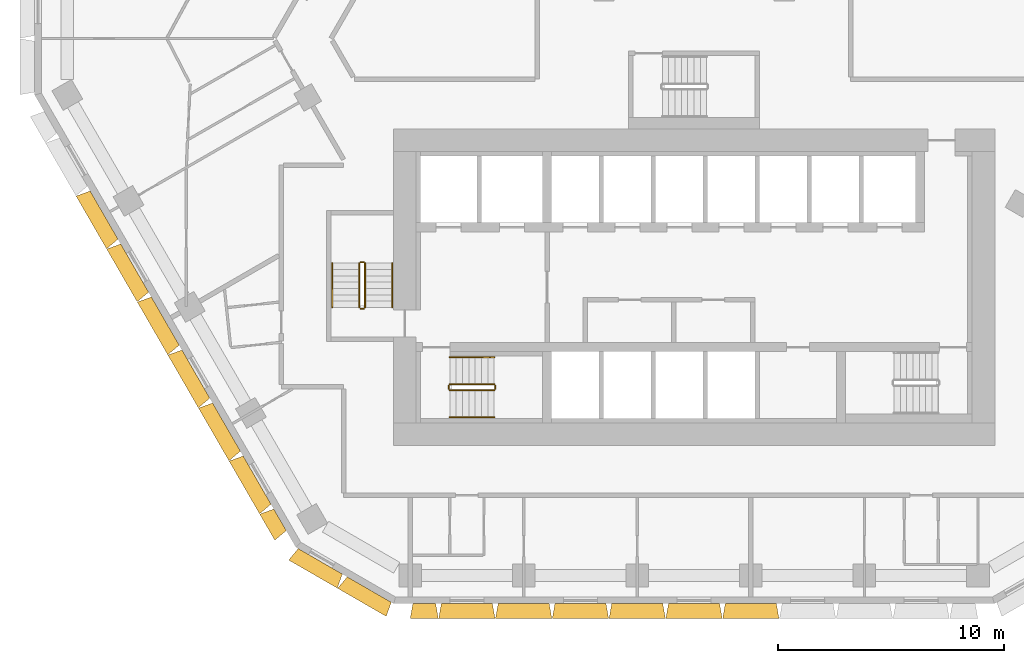
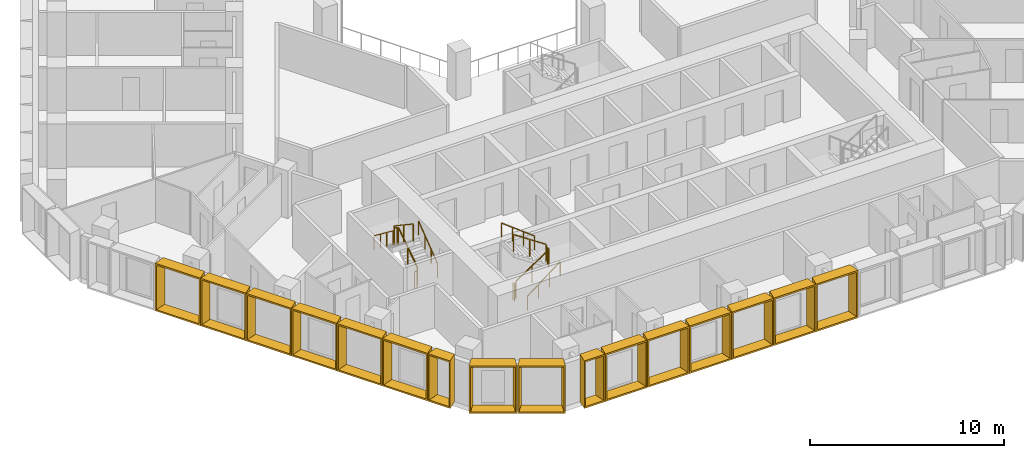
# One storey, part 12 of 15: 16 shading devices, 12 railings.
"""IFC4 building model written with IfcOpenShell, lengths in metres."""

from ifc_helpers import new_model, entity, si_unit, direction, frame, origin, origin_2d, place, context, subcontext, project, spatial, rectangle, extrude, source, transform, mapped, material, type_object, type_shapes, element, save


model = new_model("IFC4")

# Units and contexts
model_context = context("Model", 3, precision=1e-05, world=origin(), true_north=direction((0.0, 1.0)))
body_context = subcontext(model_context, "Body", "Model", "MODEL_VIEW")
ifc_project = project(units=[si_unit("LENGTHUNIT", "METRE"), si_unit("AREAUNIT", "SQUARE_METRE"), si_unit("VOLUMEUNIT", "CUBIC_METRE"), si_unit("PLANEANGLEUNIT", "RADIAN"), si_unit("MASSUNIT", "GRAM", prefix="KILO")], contexts=[model_context])

# Site, building, storey
site_placement = place(None, origin())
site = spatial("IfcSite", under=ifc_project, at=site_placement, CompositionType="ELEMENT")
building_placement = place(site_placement, origin())
building = spatial("IfcBuilding", under=site, at=building_placement, Name="Beryl Residences", CompositionType="ELEMENT")
storey_placement = place(building_placement, frame((0.0, 0.0, 102.0)))
storey = spatial("IfcBuildingStorey", under=building, at=storey_placement, Name="L31", CompositionType="ELEMENT", Elevation=102.0)

# Shading devices
ifc_material_1 = material(Name="Aluminium pale anodised", Category="aluminium")
shading_device_type_1 = type_object("IfcShadingDeviceType", Name="FR126-65A OUTER SKIN frame 650 mm deep, splay 10/10 deg, 1260 x 3000 mm cell", PredefinedType="USERDEFINED", material=ifc_material_1)
cartesian_point_1 = entity("IfcCartesianPoint", [-0.5048828125, 0.0])
cartesian_point_2 = entity("IfcCartesianPoint", [-0.423828125, 0.10009765625])
cartesian_point_3 = entity("IfcCartesianPoint", [-0.61962890625, 0.0])
cartesian_point_4 = entity("IfcCartesianPoint", [-0.538330078125, 0.10009765625])
shared_shape_1 = source(origin(), body_context, "Body", "SweptSolid", [
    entity("IfcExtrudedAreaSolidTapered", entity("IfcArbitraryProfileDefWithVoids", "AREA", None, entity("IfcPolyline", [cartesian_point_1, entity("IfcCartesianPoint", [0.5048828125, 0.0]), entity("IfcCartesianPoint", [0.5048828125, 3.0]), entity("IfcCartesianPoint", [-0.5048828125, 3.0]), cartesian_point_1]), [entity("IfcPolyline", [cartesian_point_2, entity("IfcCartesianPoint", [0.423828125, 0.10009765625]), entity("IfcCartesianPoint", [0.423828125, 2.89990234375]), entity("IfcCartesianPoint", [-0.423828125, 2.89990234375]), cartesian_point_2])]), entity("IfcAxis2Placement3D", entity("IfcCartesianPoint", [0.0, 0.0, 0.0]), entity("IfcDirection", [0.0, 1.0, 0.0]), entity("IfcDirection", [-1.0, 0.0, 0.0])), entity("IfcDirection", [0.0, 0.0, 1.0]), 0.64990234375, entity("IfcArbitraryProfileDefWithVoids", "AREA", None, entity("IfcPolyline", [cartesian_point_3, entity("IfcCartesianPoint", [0.61962890625, 0.0]), entity("IfcCartesianPoint", [0.61962890625, 3.0]), entity("IfcCartesianPoint", [-0.61962890625, 3.0]), cartesian_point_3]), [entity("IfcPolyline", [cartesian_point_4, entity("IfcCartesianPoint", [0.538330078125, 0.10009765625]), entity("IfcCartesianPoint", [0.538330078125, 2.89990234375]), entity("IfcCartesianPoint", [-0.538330078125, 2.89990234375]), cartesian_point_4])])),
])
type_shapes(shading_device_type_1, [shared_shape_1])
shading_device_1_placement = place(storey_placement, frame((-11.928955078125, -26.0, 0.0), z_axis=(0.0, 0.0, 1.0), x_axis=(-1.0, 0.0, 0.0)))
element("IfcShadingDevice", 1, at=shading_device_1_placement, inside=storey, type_object=shading_device_type_1, Name="FR126-65A frame L31 S 1", ObjectType="OUTER SKIN", PredefinedType="USERDEFINED", context=body_context, shape_type="MappedRepresentation", body=[
    mapped(shared_shape_1, transform((0.0, 0.0, 0.0))),
])
ifc_material_2 = material(Name="Aluminium pale anodised", Category="aluminium")
shading_device_type_2 = type_object("IfcShadingDeviceType", Name="FR135-65A OUTER SKIN frame 650 mm deep, splay 10/10 deg, 1350 x 3000 mm cell", PredefinedType="USERDEFINED", material=ifc_material_2)
cartesian_point_5 = entity("IfcCartesianPoint", [-0.550048828125, 0.0])
cartesian_point_6 = entity("IfcCartesianPoint", [-0.46875, 0.10009765625])
cartesian_point_7 = entity("IfcCartesianPoint", [-0.66455078125, 0.0])
cartesian_point_8 = entity("IfcCartesianPoint", [-0.58349609375, 0.10009765625])
shared_shape_2 = source(origin(), body_context, "Body", "SweptSolid", [
    entity("IfcExtrudedAreaSolidTapered", entity("IfcArbitraryProfileDefWithVoids", "AREA", None, entity("IfcPolyline", [cartesian_point_5, entity("IfcCartesianPoint", [0.550048828125, 0.0]), entity("IfcCartesianPoint", [0.550048828125, 3.0]), entity("IfcCartesianPoint", [-0.550048828125, 3.0]), cartesian_point_5]), [entity("IfcPolyline", [cartesian_point_6, entity("IfcCartesianPoint", [0.46875, 0.10009765625]), entity("IfcCartesianPoint", [0.46875, 2.89990234375]), entity("IfcCartesianPoint", [-0.46875, 2.89990234375]), cartesian_point_6])]), entity("IfcAxis2Placement3D", entity("IfcCartesianPoint", [0.0, 0.0, 0.0]), entity("IfcDirection", [0.0, 1.0, 0.0]), entity("IfcDirection", [-1.0, 0.0, 0.0])), entity("IfcDirection", [0.0, 0.0, 1.0]), 0.64990234375, entity("IfcArbitraryProfileDefWithVoids", "AREA", None, entity("IfcPolyline", [cartesian_point_7, entity("IfcCartesianPoint", [0.66455078125, 0.0]), entity("IfcCartesianPoint", [0.66455078125, 3.0]), entity("IfcCartesianPoint", [-0.66455078125, 3.0]), cartesian_point_7]), [entity("IfcPolyline", [cartesian_point_8, entity("IfcCartesianPoint", [0.58349609375, 0.10009765625]), entity("IfcCartesianPoint", [0.58349609375, 2.89990234375]), entity("IfcCartesianPoint", [-0.58349609375, 2.89990234375]), cartesian_point_8])])),
])
type_shapes(shading_device_type_2, [shared_shape_2])
shading_device_2_placement = place(storey_placement, frame((-18.30810546875, -22.2900390625, 0.0), z_axis=(0.0, 0.0, 1.0), x_axis=(-0.5, 0.866025403784, 0.0)))
element("IfcShadingDevice", 2, at=shading_device_2_placement, inside=storey, type_object=shading_device_type_2, Name="FR135-65A frame L31 SW 9", ObjectType="OUTER SKIN", PredefinedType="USERDEFINED", context=body_context, shape_type="MappedRepresentation", body=[
    mapped(shared_shape_2, transform((0.0, 0.0, 0.0))),
])
ifc_material_3 = material(Name="Aluminium pale anodised", Category="aluminium")
shading_device_type_3 = type_object("IfcShadingDeviceType", Name="FR250-65A OUTER SKIN frame 650 mm deep, splay 10/10 deg, 2500 x 3000 mm cell", PredefinedType="USERDEFINED", material=ifc_material_3)
cartesian_point_9 = entity("IfcCartesianPoint", [-1.125, 0.0])
cartesian_point_10 = entity("IfcCartesianPoint", [-1.043701171875, 0.10009765625])
cartesian_point_11 = entity("IfcCartesianPoint", [-1.239501953125, 0.0])
cartesian_point_12 = entity("IfcCartesianPoint", [-1.158447265625, 0.10009765625])
shared_shape_3 = source(origin(), body_context, "Body", "SweptSolid", [
    entity("IfcExtrudedAreaSolidTapered", entity("IfcArbitraryProfileDefWithVoids", "AREA", None, entity("IfcPolyline", [cartesian_point_9, entity("IfcCartesianPoint", [1.125, 0.0]), entity("IfcCartesianPoint", [1.125, 3.0]), entity("IfcCartesianPoint", [-1.125, 3.0]), cartesian_point_9]), [entity("IfcPolyline", [cartesian_point_10, entity("IfcCartesianPoint", [1.043701171875, 0.10009765625]), entity("IfcCartesianPoint", [1.043701171875, 2.89990234375]), entity("IfcCartesianPoint", [-1.043701171875, 2.89990234375]), cartesian_point_10])]), entity("IfcAxis2Placement3D", entity("IfcCartesianPoint", [0.0, 0.0, 0.0]), entity("IfcDirection", [0.0, 1.0, 0.0]), entity("IfcDirection", [-1.0, 0.0, 0.0])), entity("IfcDirection", [0.0, 0.0, 1.0]), 0.64990234375, entity("IfcArbitraryProfileDefWithVoids", "AREA", None, entity("IfcPolyline", [cartesian_point_11, entity("IfcCartesianPoint", [1.239501953125, 0.0]), entity("IfcCartesianPoint", [1.239501953125, 3.0]), entity("IfcCartesianPoint", [-1.239501953125, 3.0]), cartesian_point_11]), [entity("IfcPolyline", [cartesian_point_12, entity("IfcCartesianPoint", [1.158447265625, 0.10009765625]), entity("IfcCartesianPoint", [1.158447265625, 2.89990234375]), entity("IfcCartesianPoint", [-1.158447265625, 2.89990234375]), cartesian_point_12])])),
])
type_shapes(shading_device_type_3, [shared_shape_3])
for number, where, z_axis, x_axis, name in (
    (3, (-16.527099609375, -24.125, 0.0), (0.0, 0.0, 1.0), (-0.866025403784, 0.5, 0.0), "FR250-65A frame L31 SW-S 1"),
    (4, (-14.361083984375, -25.375, 0.0), (0.0, 0.0, 1.0), (-0.866025403784, 0.5, 0.0), "FR250-65A frame L31 SW-S 2"),
):
    element("IfcShadingDevice", number, at=place(storey_placement, frame(where, z_axis=z_axis, x_axis=x_axis)), inside=storey, type_object=shading_device_type_3, Name=name, ObjectType="OUTER SKIN", PredefinedType="USERDEFINED", context=body_context, shape_type="MappedRepresentation", body=[
        mapped(shared_shape_3, transform((0.0, 0.0, 0.0))),
    ])
ifc_material_4 = material(Name="Aluminium pale anodised", Category="aluminium")
shading_device_type_4 = type_object("IfcShadingDeviceType", Name="FR251-65A OUTER SKIN frame 650 mm deep, splay 10/10 deg, 2510 x 3000 mm cell", PredefinedType="USERDEFINED", material=ifc_material_4)
cartesian_point_13 = entity("IfcCartesianPoint", [-1.1298828125, 0.0])
cartesian_point_14 = entity("IfcCartesianPoint", [-1.048828125, 0.10009765625])
cartesian_point_15 = entity("IfcCartesianPoint", [-1.24462890625, 0.0])
cartesian_point_16 = entity("IfcCartesianPoint", [-1.163330078125, 0.10009765625])
shared_shape_4 = source(origin(), body_context, "Body", "SweptSolid", [
    entity("IfcExtrudedAreaSolidTapered", entity("IfcArbitraryProfileDefWithVoids", "AREA", None, entity("IfcPolyline", [cartesian_point_13, entity("IfcCartesianPoint", [1.1298828125, 0.0]), entity("IfcCartesianPoint", [1.1298828125, 3.0]), entity("IfcCartesianPoint", [-1.1298828125, 3.0]), cartesian_point_13]), [entity("IfcPolyline", [cartesian_point_14, entity("IfcCartesianPoint", [1.048828125, 0.10009765625]), entity("IfcCartesianPoint", [1.048828125, 2.89990234375]), entity("IfcCartesianPoint", [-1.048828125, 2.89990234375]), cartesian_point_14])]), entity("IfcAxis2Placement3D", entity("IfcCartesianPoint", [0.0, 0.0, 0.0]), entity("IfcDirection", [0.0, 1.0, 0.0]), entity("IfcDirection", [-1.0, 0.0, 0.0])), entity("IfcDirection", [0.0, 0.0, 1.0]), 0.64990234375, entity("IfcArbitraryProfileDefWithVoids", "AREA", None, entity("IfcPolyline", [cartesian_point_15, entity("IfcCartesianPoint", [1.24462890625, 0.0]), entity("IfcCartesianPoint", [1.24462890625, 3.0]), entity("IfcCartesianPoint", [-1.24462890625, 3.0]), cartesian_point_15]), [entity("IfcPolyline", [cartesian_point_16, entity("IfcCartesianPoint", [1.163330078125, 0.10009765625]), entity("IfcCartesianPoint", [1.163330078125, 2.89990234375]), entity("IfcCartesianPoint", [-1.163330078125, 2.89990234375]), cartesian_point_16])])),
])
type_shapes(shading_device_type_4, [shared_shape_4])
for number, where, z_axis, x_axis, name in (
    (5, (-10.0458984375, -26.0, 0.0), (0.0, 0.0, 1.0), (-1.0, 0.0, 0.0), "FR251-65A frame L31 S 2"),
    (6, (-7.533935546875, -26.0, 0.0), (0.0, 0.0, 1.0), (-1.0, 0.0, 0.0), "FR251-65A frame L31 S 3"),
    (7, (-5.02197265625, -26.0, 0.0), (0.0, 0.0, 1.0), (-1.0, 0.0, 0.0), "FR251-65A frame L31 S 4"),
    (8, (-2.510986328125, -26.0, 0.0), (0.0, 0.0, 1.0), (-1.0, 0.0, 0.0), "FR251-65A frame L31 S 5"),
    (9, (0.0, -26.0, 0.0), (0.0, 0.0, 1.0), (-1.0, 0.0, 0.0), "FR251-65A frame L31 S 6"),
    (10, (2.511962890625, -26.0, 0.0), (0.0, 0.0, 1.0), (-1.0, 0.0, 0.0), "FR251-65A frame L31 S 7"),
):
    element("IfcShadingDevice", number, at=place(storey_placement, frame(where, z_axis=z_axis, x_axis=x_axis)), inside=storey, type_object=shading_device_type_4, Name=name, ObjectType="OUTER SKIN", PredefinedType="USERDEFINED", context=body_context, shape_type="MappedRepresentation", body=[
        mapped(shared_shape_4, transform((0.0, 0.0, 0.0))),
    ])
ifc_material_5 = material(Name="Aluminium pale anodised", Category="aluminium")
shading_device_type_5 = type_object("IfcShadingDeviceType", Name="FR271-65A OUTER SKIN frame 650 mm deep, splay 10/10 deg, 2710 x 3000 mm cell", PredefinedType="USERDEFINED", material=ifc_material_5)
cartesian_point_17 = entity("IfcCartesianPoint", [-1.22998046875, 0.0])
cartesian_point_18 = entity("IfcCartesianPoint", [-1.148681640625, 0.10009765625])
cartesian_point_19 = entity("IfcCartesianPoint", [-1.3447265625, 0.0])
cartesian_point_20 = entity("IfcCartesianPoint", [-1.263427734375, 0.10009765625])
shared_shape_5 = source(origin(), body_context, "Body", "SweptSolid", [
    entity("IfcExtrudedAreaSolidTapered", entity("IfcArbitraryProfileDefWithVoids", "AREA", None, entity("IfcPolyline", [cartesian_point_17, entity("IfcCartesianPoint", [1.22998046875, 0.0]), entity("IfcCartesianPoint", [1.22998046875, 3.0]), entity("IfcCartesianPoint", [-1.22998046875, 3.0]), cartesian_point_17]), [entity("IfcPolyline", [cartesian_point_18, entity("IfcCartesianPoint", [1.148681640625, 0.10009765625]), entity("IfcCartesianPoint", [1.148681640625, 2.89990234375]), entity("IfcCartesianPoint", [-1.148681640625, 2.89990234375]), cartesian_point_18])]), entity("IfcAxis2Placement3D", entity("IfcCartesianPoint", [0.0, 0.0, 0.0]), entity("IfcDirection", [0.0, 1.0, 0.0]), entity("IfcDirection", [-1.0, 0.0, 0.0])), entity("IfcDirection", [0.0, 0.0, 1.0]), 0.64990234375, entity("IfcArbitraryProfileDefWithVoids", "AREA", None, entity("IfcPolyline", [cartesian_point_19, entity("IfcCartesianPoint", [1.3447265625, 0.0]), entity("IfcCartesianPoint", [1.3447265625, 3.0]), entity("IfcCartesianPoint", [-1.3447265625, 3.0]), cartesian_point_19]), [entity("IfcPolyline", [cartesian_point_20, entity("IfcCartesianPoint", [1.263427734375, 0.10009765625]), entity("IfcCartesianPoint", [1.263427734375, 2.89990234375]), entity("IfcCartesianPoint", [-1.263427734375, 2.89990234375]), cartesian_point_20])])),
])
type_shapes(shading_device_type_5, [shared_shape_5])
for number, where, z_axis, x_axis, name in (
    (11, (-26.090087890625, -8.81201171875, 0.0), (0.0, 0.0, 1.0), (-0.5, 0.866025403784, 0.0), "FR271-65A frame L31 SW 3"),
    (12, (-24.736083984375, -11.156005859375, 0.0), (0.0, 0.0, 1.0), (-0.5, 0.866025403784, 0.0), "FR271-65A frame L31 SW 4"),
    (13, (-23.383056640625, -13.5, 0.0), (0.0, 0.0, 1.0), (-0.5, 0.866025403784, 0.0), "FR271-65A frame L31 SW 5"),
    (14, (-22.030029296875, -15.843994140625, 0.0), (0.0, 0.0, 1.0), (-0.5, 0.866025403784, 0.0), "FR271-65A frame L31 SW 6"),
    (15, (-20.676025390625, -18.18798828125, 0.0), (0.0, 0.0, 1.0), (-0.5, 0.866025403784, 0.0), "FR271-65A frame L31 SW 7"),
    (16, (-19.322998046875, -20.531982421875, 0.0), (0.0, 0.0, 1.0), (-0.5, 0.866025403784, 0.0), "FR271-65A frame L31 SW 8"),
):
    element("IfcShadingDevice", number, at=place(storey_placement, frame(where, z_axis=z_axis, x_axis=x_axis)), inside=storey, type_object=shading_device_type_5, Name=name, ObjectType="OUTER SKIN", PredefinedType="USERDEFINED", context=body_context, shape_type="MappedRepresentation", body=[
        mapped(shared_shape_5, transform((0.0, 0.0, 0.0))),
    ])

# Railings
ifc_material_6 = material(Name="Stainless steel balustrade with glass infill", Category="steel")
railing_type_1 = type_object("IfcRailingType", Name="SG1 stair guard 1100 mm", PredefinedType="GUARDRAIL", material=ifc_material_6)
railing_1_placement = place(storey_placement, frame((-10.800048828125, -16.550048828125, 0.1875)))
element("IfcRailing", 17, at=railing_1_placement, inside=storey, type_object=railing_type_1, Name="L31 ST-1 stair guard 1", PredefinedType="GUARDRAIL", context=body_context, shape_type="SweptSolid", body=[
    extrude(rectangle(XDim=0.048095703125, YDim=0.048095703125, at=origin_2d()), frame((0.0, 0.0, 1.076171875), z_axis=(0.830902050051, 0.0, 0.556418712142), x_axis=(0.0, 1.0, 0.0)), (0.0, 0.0, 1.0), 2.35888671875),
    extrude(rectangle(XDim=0.0419921875, YDim=0.0419921875, at=origin_2d()), origin(), (0.0, 0.0, 1.0), 1.052001953125),
    extrude(rectangle(XDim=0.0419921875, YDim=0.0419921875, at=origin_2d()), frame((0.97998046875, 0.0, 0.65625)), (0.0, 0.0, 1.0), 1.052001953125),
    extrude(rectangle(XDim=0.0419921875, YDim=0.0419921875, at=origin_2d()), frame((1.9599609375, 0.0, 1.3125)), (0.0, 0.0, 1.0), 1.052001953125),
])
railing_2_placement = place(storey_placement, frame((-8.7900390625, -16.5, 1.5)))
element("IfcRailing", 18, at=railing_2_placement, inside=storey, type_object=railing_type_1, Name="L31 ST-1 stair guard 2", PredefinedType="GUARDRAIL", context=body_context, shape_type="SweptSolid", body=[
    extrude(rectangle(XDim=0.048095703125, YDim=0.048095703125, at=origin_2d()), frame((0.0, 0.0, 1.076171875), z_axis=(0.0, 1.0, 0.0), x_axis=(-1.0, 0.0, 0.0)), (0.0, 0.0, 1.0), 0.14990234375),
    extrude(rectangle(XDim=0.0419921875, YDim=0.0419921875, at=origin_2d()), origin(), (0.0, 0.0, 1.0), 1.052001953125),
    extrude(rectangle(XDim=0.0419921875, YDim=0.0419921875, at=origin_2d()), frame((0.0, 0.14990234375, 0.0)), (0.0, 0.0, 1.0), 1.052001953125),
])
railing_3_placement = place(storey_placement, frame((-8.840087890625, -16.300048828125, 1.6875)))
element("IfcRailing", 19, at=railing_3_placement, inside=storey, type_object=railing_type_1, Name="L31 ST-1 stair guard 3", PredefinedType="GUARDRAIL", context=body_context, shape_type="SweptSolid", body=[
    extrude(rectangle(XDim=0.048095703125, YDim=0.048095703125, at=origin_2d()), frame((0.0, 0.0, 1.076171875), z_axis=(-0.830902050051, 0.0, 0.556418712142), x_axis=(0.0, -1.0, 0.0)), (0.0, 0.0, 1.0), 2.35888671875),
    extrude(rectangle(XDim=0.0419921875, YDim=0.0419921875, at=origin_2d()), origin(), (0.0, 0.0, 1.0), 1.052001953125),
    extrude(rectangle(XDim=0.0419921875, YDim=0.0419921875, at=origin_2d()), frame((-0.97998046875, 0.0, 0.65625)), (0.0, 0.0, 1.0), 1.052001953125),
    extrude(rectangle(XDim=0.0419921875, YDim=0.0419921875, at=origin_2d()), frame((-1.9599609375, 0.0, 1.3125)), (0.0, 0.0, 1.0), 1.052001953125),
])
railing_4_placement = place(storey_placement, frame((-10.85009765625, -16.5, 0.0)))
element("IfcRailing", 20, at=railing_4_placement, inside=storey, type_object=railing_type_1, Name="L31 ST-1 stair guard 4", PredefinedType="GUARDRAIL", context=body_context, shape_type="SweptSolid", body=[
    extrude(rectangle(XDim=0.048095703125, YDim=0.048095703125, at=origin_2d()), frame((0.0, 0.0, 1.076171875), z_axis=(0.0, 1.0, 0.0), x_axis=(-1.0, 0.0, 0.0)), (0.0, 0.0, 1.0), 0.14990234375),
    extrude(rectangle(XDim=0.0419921875, YDim=0.0419921875, at=origin_2d()), origin(), (0.0, 0.0, 1.0), 1.052001953125),
    extrude(rectangle(XDim=0.0419921875, YDim=0.0419921875, at=origin_2d()), frame((0.0, 0.14990234375, 0.0)), (0.0, 0.0, 1.0), 1.052001953125),
])
railing_5_placement = place(storey_placement, frame((-14.550048828125, -12.89990234375, 0.1875)))
element("IfcRailing", 21, at=railing_5_placement, inside=storey, type_object=railing_type_1, Name="L31 ST-2 stair guard 1", PredefinedType="GUARDRAIL", context=body_context, shape_type="SweptSolid", body=[
    extrude(rectangle(XDim=0.048095703125, YDim=0.048095703125, at=origin_2d()), frame((0.0, 0.0, 1.076171875), z_axis=(0.0, 0.830902050051, 0.556418712142), x_axis=(-1.0, 0.0, 0.0)), (0.0, 0.0, 1.0), 2.35888671875),
    extrude(rectangle(XDim=0.0419921875, YDim=0.0419921875, at=origin_2d()), origin(), (0.0, 0.0, 1.0), 1.052001953125),
    extrude(rectangle(XDim=0.0419921875, YDim=0.0419921875, at=origin_2d()), frame((0.0, 0.97998046875, 0.65625)), (0.0, 0.0, 1.0), 1.052001953125),
    extrude(rectangle(XDim=0.0419921875, YDim=0.0419921875, at=origin_2d()), frame((0.0, 1.9599609375, 1.3125)), (0.0, 0.0, 1.0), 1.052001953125),
])
railing_6_placement = place(storey_placement, frame((-14.60009765625, -10.889892578125, 1.5)))
element("IfcRailing", 22, at=railing_6_placement, inside=storey, type_object=railing_type_1, Name="L31 ST-2 stair guard 2", PredefinedType="GUARDRAIL", context=body_context, shape_type="SweptSolid", body=[
    extrude(rectangle(XDim=0.048095703125, YDim=0.048095703125, at=origin_2d()), frame((0.0, 0.0, 1.076171875), z_axis=(-1.0, 0.0, 0.0), x_axis=(0.0, -1.0, 0.0)), (0.0, 0.0, 1.0), 0.14990234375),
    extrude(rectangle(XDim=0.0419921875, YDim=0.0419921875, at=origin_2d()), origin(), (0.0, 0.0, 1.0), 1.052001953125),
    extrude(rectangle(XDim=0.0419921875, YDim=0.0419921875, at=origin_2d()), frame((-0.14990234375, 0.0, 0.0)), (0.0, 0.0, 1.0), 1.052001953125),
])
railing_7_placement = place(storey_placement, frame((-14.800048828125, -10.93994140625, 1.6875)))
element("IfcRailing", 23, at=railing_7_placement, inside=storey, type_object=railing_type_1, Name="L31 ST-2 stair guard 3", PredefinedType="GUARDRAIL", context=body_context, shape_type="SweptSolid", body=[
    extrude(rectangle(XDim=0.048095703125, YDim=0.048095703125, at=origin_2d()), frame((0.0, 0.0, 1.076171875), z_axis=(0.0, -0.830902050051, 0.556418712142), x_axis=(1.0, 0.0, 0.0)), (0.0, 0.0, 1.0), 2.35888671875),
    extrude(rectangle(XDim=0.0419921875, YDim=0.0419921875, at=origin_2d()), origin(), (0.0, 0.0, 1.0), 1.052001953125),
    extrude(rectangle(XDim=0.0419921875, YDim=0.0419921875, at=origin_2d()), frame((0.0, -0.97998046875, 0.65625)), (0.0, 0.0, 1.0), 1.052001953125),
    extrude(rectangle(XDim=0.0419921875, YDim=0.0419921875, at=origin_2d()), frame((0.0, -1.9599609375, 1.3125)), (0.0, 0.0, 1.0), 1.052001953125),
])
railing_8_placement = place(storey_placement, frame((-14.60009765625, -12.949951171875, 0.0)))
element("IfcRailing", 24, at=railing_8_placement, inside=storey, type_object=railing_type_1, Name="L31 ST-2 stair guard 4", PredefinedType="GUARDRAIL", context=body_context, shape_type="SweptSolid", body=[
    extrude(rectangle(XDim=0.048095703125, YDim=0.048095703125, at=origin_2d()), frame((0.0, 0.0, 1.076171875), z_axis=(-1.0, 0.0, 0.0), x_axis=(0.0, -1.0, 0.0)), (0.0, 0.0, 1.0), 0.14990234375),
    extrude(rectangle(XDim=0.0419921875, YDim=0.0419921875, at=origin_2d()), origin(), (0.0, 0.0, 1.0), 1.052001953125),
    extrude(rectangle(XDim=0.0419921875, YDim=0.0419921875, at=origin_2d()), frame((-0.14990234375, 0.0, 0.0)), (0.0, 0.0, 1.0), 1.052001953125),
])
ifc_material_7 = material(Name="Stainless steel handrail", Category="steel")
railing_type_2 = type_object("IfcRailingType", Name="SRL1 stair handrail 900 mm", PredefinedType="HANDRAIL", material=ifc_material_7)
railing_9_placement = place(storey_placement, frame((-10.800048828125, -17.75, 0.1875)))
element("IfcRailing", 25, at=railing_9_placement, inside=storey, type_object=railing_type_2, Name="L31 ST-1 stair handrail 1", PredefinedType="HANDRAIL", context=body_context, shape_type="SweptSolid", body=[
    extrude(rectangle(XDim=0.048095703125, YDim=0.048095703125, at=origin_2d()), frame((0.0, 0.0, 0.8759765625), z_axis=(0.794121922505, 0.0, 0.607758481798), x_axis=(0.0, 1.0, 0.0)), (0.0, 0.0, 1.0), 2.468017578125),
    extrude(rectangle(XDim=0.0419921875, YDim=0.0419921875, at=origin_2d()), origin(), (0.0, 0.0, 1.0), 0.851806640625),
    extrude(rectangle(XDim=0.0419921875, YDim=0.0419921875, at=origin_2d()), frame((0.6533203125, 0.0, 0.5)), (0.0, 0.0, 1.0), 0.851806640625),
    extrude(rectangle(XDim=0.0419921875, YDim=0.0419921875, at=origin_2d()), frame((1.306640625, 0.0, 1.0)), (0.0, 0.0, 1.0), 0.851806640625),
    extrude(rectangle(XDim=0.0419921875, YDim=0.0419921875, at=origin_2d()), frame((1.9599609375, 0.0, 1.5)), (0.0, 0.0, 1.0), 0.851806640625),
])
railing_10_placement = place(storey_placement, frame((-8.840087890625, -15.10009765625, 1.6875)))
element("IfcRailing", 26, at=railing_10_placement, inside=storey, type_object=railing_type_2, Name="L31 ST-1 stair handrail 2", PredefinedType="HANDRAIL", context=body_context, shape_type="SweptSolid", body=[
    extrude(rectangle(XDim=0.048095703125, YDim=0.048095703125, at=origin_2d()), frame((0.0, 0.0, 0.8759765625), z_axis=(-0.794121922505, 0.0, 0.607758481798), x_axis=(0.0, -1.0, 0.0)), (0.0, 0.0, 1.0), 2.468017578125),
    extrude(rectangle(XDim=0.0419921875, YDim=0.0419921875, at=origin_2d()), origin(), (0.0, 0.0, 1.0), 0.851806640625),
    extrude(rectangle(XDim=0.0419921875, YDim=0.0419921875, at=origin_2d()), frame((-0.6533203125, 0.0, 0.5)), (0.0, 0.0, 1.0), 0.851806640625),
    extrude(rectangle(XDim=0.0419921875, YDim=0.0419921875, at=origin_2d()), frame((-1.306640625, 0.0, 1.0)), (0.0, 0.0, 1.0), 0.851806640625),
    extrude(rectangle(XDim=0.0419921875, YDim=0.0419921875, at=origin_2d()), frame((-1.9599609375, 0.0, 1.5)), (0.0, 0.0, 1.0), 0.851806640625),
])
railing_11_placement = place(storey_placement, frame((-13.35009765625, -12.89990234375, 0.1875)))
element("IfcRailing", 27, at=railing_11_placement, inside=storey, type_object=railing_type_2, Name="L31 ST-2 stair handrail 1", PredefinedType="HANDRAIL", context=body_context, shape_type="SweptSolid", body=[
    extrude(rectangle(XDim=0.048095703125, YDim=0.048095703125, at=origin_2d()), frame((0.0, 0.0, 0.8759765625), z_axis=(0.0, 0.794121922505, 0.607758481798), x_axis=(-1.0, 0.0, 0.0)), (0.0, 0.0, 1.0), 2.468017578125),
    extrude(rectangle(XDim=0.0419921875, YDim=0.0419921875, at=origin_2d()), origin(), (0.0, 0.0, 1.0), 0.851806640625),
    extrude(rectangle(XDim=0.0419921875, YDim=0.0419921875, at=origin_2d()), frame((0.0, 0.6533203125, 0.5)), (0.0, 0.0, 1.0), 0.851806640625),
    extrude(rectangle(XDim=0.0419921875, YDim=0.0419921875, at=origin_2d()), frame((0.0, 1.306640625, 1.0)), (0.0, 0.0, 1.0), 0.851806640625),
    extrude(rectangle(XDim=0.0419921875, YDim=0.0419921875, at=origin_2d()), frame((0.0, 1.9599609375, 1.5)), (0.0, 0.0, 1.0), 0.851806640625),
])
railing_12_placement = place(storey_placement, frame((-16.0, -10.93994140625, 1.6875)))
element("IfcRailing", 28, at=railing_12_placement, inside=storey, type_object=railing_type_2, Name="L31 ST-2 stair handrail 2", PredefinedType="HANDRAIL", context=body_context, shape_type="SweptSolid", body=[
    extrude(rectangle(XDim=0.048095703125, YDim=0.048095703125, at=origin_2d()), frame((0.0, 0.0, 0.8759765625), z_axis=(0.0, -0.794121922505, 0.607758481798), x_axis=(1.0, 0.0, 0.0)), (0.0, 0.0, 1.0), 2.468017578125),
    extrude(rectangle(XDim=0.0419921875, YDim=0.0419921875, at=origin_2d()), origin(), (0.0, 0.0, 1.0), 0.851806640625),
    extrude(rectangle(XDim=0.0419921875, YDim=0.0419921875, at=origin_2d()), frame((0.0, -0.6533203125, 0.5)), (0.0, 0.0, 1.0), 0.851806640625),
    extrude(rectangle(XDim=0.0419921875, YDim=0.0419921875, at=origin_2d()), frame((0.0, -1.306640625, 1.0)), (0.0, 0.0, 1.0), 0.851806640625),
    extrude(rectangle(XDim=0.0419921875, YDim=0.0419921875, at=origin_2d()), frame((0.0, -1.9599609375, 1.5)), (0.0, 0.0, 1.0), 0.851806640625),
])

save(model, "model.ifc")
